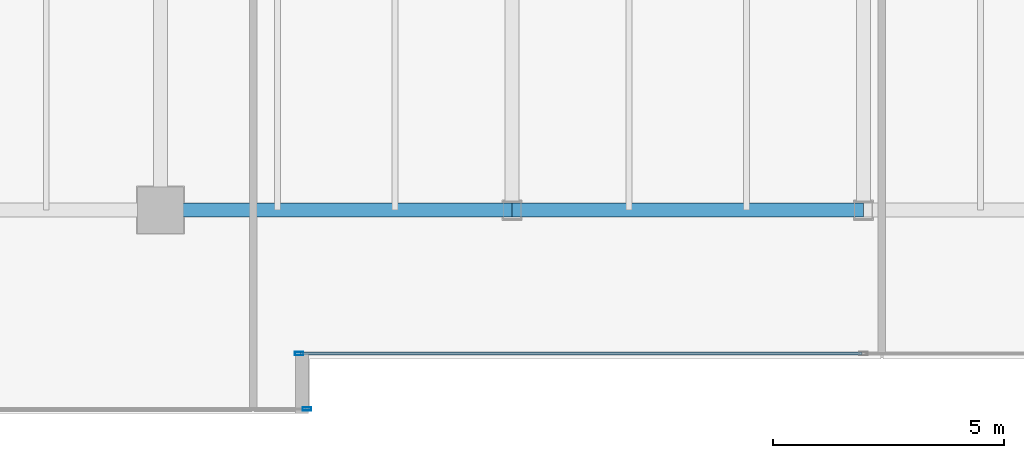
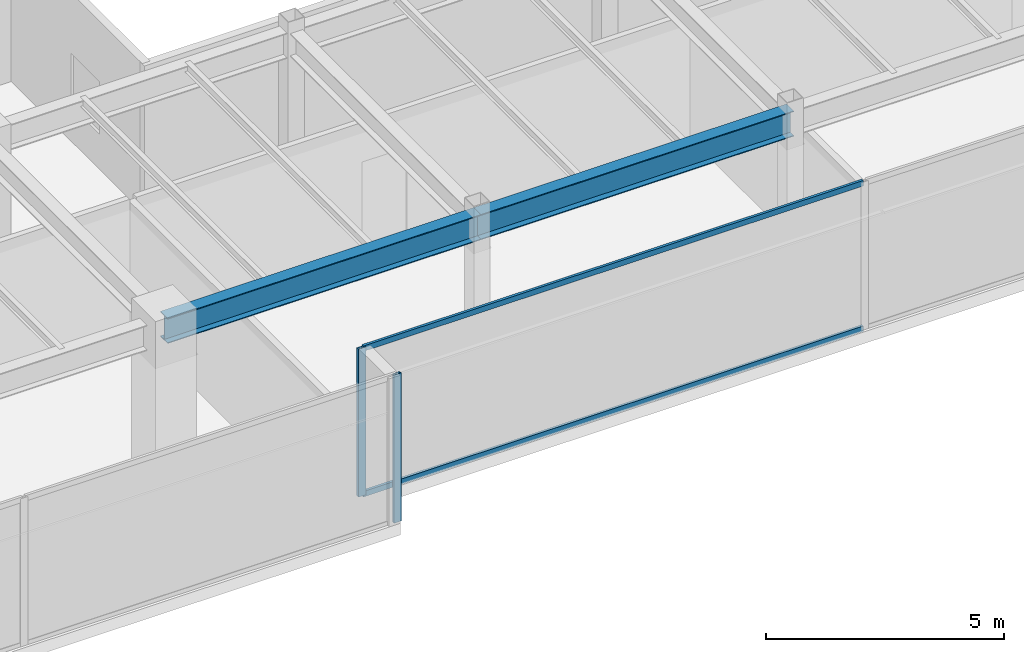
# One storey, part 7 of 36: 4 members, 2 beams, 2 elements without a shape of their own.
"""IFC4 building model written with IfcOpenShell, lengths in metres."""

from ifc_helpers import new_model, si_unit, direction, frame, origin, origin_2d, place, context, subcontext, project, spatial, hollow_rectangle, i_section, extrude, source, transform, mapped, material, layer, layer_set, material_profile, profile_set, type_object, type_shapes, element, aggregate, save


model = new_model("IFC4")

# Units and contexts
model_context = context("Model", 3, precision=1e-05, world=origin(), true_north=direction((0.0, 1.0)))
body_context = subcontext(model_context, "Body", "Model", "MODEL_VIEW")
ifc_project = project(units=[si_unit("LENGTHUNIT", "METRE"), si_unit("AREAUNIT", "SQUARE_METRE"), si_unit("VOLUMEUNIT", "CUBIC_METRE"), si_unit("PLANEANGLEUNIT", "RADIAN"), si_unit("MASSUNIT", "GRAM", prefix="KILO")], contexts=[model_context])

# Site, building, storey
site_placement = place(None, origin())
site = spatial("IfcSite", under=ifc_project, at=site_placement, CompositionType="ELEMENT")
building_placement = place(site_placement, origin())
building = spatial("IfcBuilding", under=site, at=building_placement, Name="Haelvirn Gate Laboratories", CompositionType="ELEMENT")
storey_placement = place(building_placement, frame((0.0, 0.0, 262.89990234375)))
storey = spatial("IfcBuildingStorey", under=building, at=storey_placement, Name="L63", CompositionType="ELEMENT", Elevation=262.89990234375)

# Beams
ifc_material_1 = material(Name="Steel SM355", Category="steel")
ifc_material_profile_1 = material_profile(ifc_material_1, i_section(OverallWidth=0.300048828125, OverallDepth=0.64990234375, WebThickness=0.012939453125, FlangeThickness=0.02197265625, at=origin_2d()), Name="H-650x300x13x22")
ifc_profile_set_1 = profile_set([ifc_material_profile_1], Name="Steel SM355")
beam_type = type_object("IfcBeamType", Name="BM-G-650", PredefinedType="BEAM", material=ifc_profile_set_1)
shared_shape_1 = source(origin(), body_context, "Body", "SweptSolid", [
    extrude(i_section(OverallWidth=0.300048828125, OverallDepth=0.64990234375, WebThickness=0.012939453125, FlangeThickness=0.02197265625, at=origin_2d()), origin(), (0.0, 0.0, 1.0), 7.60009765625),
])
beam_1_placement = place(storey_placement, frame((22.199951171875, 7.0, 3.47509765625), z_axis=(1.0, 0.0, 0.0), x_axis=(0.0, 1.0, 0.0)))
element("IfcBeam", 1, at=beam_1_placement, inside=storey, type_object=beam_type, Name="L63 Primary Girder Y7.0 (22.2-29.8)", PredefinedType="BEAM", context=body_context, shape_type="MappedRepresentation", body=[
    mapped(shared_shape_1, transform((0.0, 0.0, 0.0), scale=1.0)),
])
shared_shape_2 = source(origin(), body_context, "Body", "SweptSolid", [
    extrude(i_section(OverallWidth=0.300048828125, OverallDepth=0.64990234375, WebThickness=0.012939453125, FlangeThickness=0.02197265625, at=origin_2d()), origin(), (0.0, 0.0, 1.0), 7.599853515625),
])
type_shapes(beam_type, [shared_shape_1, shared_shape_2])
beam_2_placement = place(storey_placement, frame((29.800048828125, 7.0, 3.47509765625), z_axis=(1.0, 0.0, 0.0), x_axis=(0.0, 1.0, 0.0)))
element("IfcBeam", 2, at=beam_2_placement, inside=storey, type_object=beam_type, Name="L63 Primary Girder Y7.0 (29.8-37.4)", PredefinedType="BEAM", context=body_context, shape_type="MappedRepresentation", body=[
    mapped(shared_shape_2, transform((0.0, 0.0, 0.0), scale=1.0)),
])

# Curtain wall, members
ifc_material_2 = material(Name="Anodised bronze unitised aluminium & triple low-E glass", Category="aluminium")
ifc_layer = layer(ifc_material_2, 0.176025390625, Name="CW-SYS-4")
ifc_layer_set = layer_set([ifc_layer], Name="Anodised bronze unitised aluminium & triple low-E glass")
curtain_wall_type = type_object("IfcCurtainWallType", Name="CW-SYS-4", PredefinedType="NOTDEFINED", material=ifc_layer_set)
curtain_wall_1_placement = place(storey_placement, origin())
curtain_wall_1 = element("IfcCurtainWall", 3, at=curtain_wall_1_placement, inside=storey, type_object=curtain_wall_type, Name="L63 Unitised Curtain Wall CW-L63-P0-E02-1", PredefinedType="NOTDEFINED")
ifc_material_3 = material(Name="Extruded aluminium 6063-T6 (anodised bronze)", Category="aluminium")
ifc_material_profile_2 = material_profile(ifc_material_3, hollow_rectangle(XDim=0.06494140625, YDim=0.139892578125, WallThickness=0.00390625, at=origin_2d()), Name="CWT-140x65x4")
ifc_profile_set_2 = profile_set([ifc_material_profile_2], Name="Extruded aluminium 6063-T6 (anodised bronze)")
member_type_1 = type_object("IfcMemberType", Name="CWT-T140", PredefinedType="USERDEFINED", material=ifc_profile_set_2)
shared_shape_3 = source(origin(), body_context, "Body", "SweptSolid", [
    extrude(hollow_rectangle(XDim=0.06494140625, YDim=0.139892578125, WallThickness=0.00390625, at=origin_2d()), origin(), (0.0, 0.0, 1.0), 12.135009765625),
])
type_shapes(member_type_1, [shared_shape_3])
member_1_placement = place(storey_placement, frame((25.22998046875, 3.89990234375, 0.03271484375), z_axis=(1.0, 0.0, 0.0), x_axis=(0.0, 1.0, 0.0)))
member_1 = element("IfcMember", 4, at=member_1_placement, type_object=member_type_1, Name="CW4 transom 1.1", ObjectType="TRANSOM", PredefinedType="USERDEFINED", context=body_context, shape_type="MappedRepresentation", body=[
    mapped(shared_shape_3, transform((0.0, 0.0, 0.0), scale=1.0)),
])
member_2_placement = place(storey_placement, frame((25.22998046875, 3.89990234375, 3.767578125), z_axis=(1.0, 0.0, 0.0), x_axis=(0.0, 1.0, 0.0)))
member_2 = element("IfcMember", 5, at=member_2_placement, type_object=member_type_1, Name="CW4 transom 1.2", ObjectType="TRANSOM", PredefinedType="USERDEFINED", context=body_context, shape_type="MappedRepresentation", body=[
    mapped(shared_shape_3, transform((0.0, 0.0, 0.0), scale=1.0)),
])

# Curtain wall, member
curtain_wall_2_placement = place(storey_placement, origin())
curtain_wall_2 = element("IfcCurtainWall", 6, at=curtain_wall_2_placement, inside=storey, type_object=curtain_wall_type, Name="L63 Unitised Curtain Wall CW-L63-P0-E00-1", PredefinedType="NOTDEFINED")
ifc_material_profile_3 = material_profile(ifc_material_3, hollow_rectangle(XDim=0.070068359375, YDim=0.179931640625, WallThickness=0.0048828125, at=origin_2d()), Name="CWM-180x70x5")
ifc_profile_set_3 = profile_set([ifc_material_profile_3], Name="Extruded aluminium 6063-T6 (anodised bronze)")
member_type_2 = type_object("IfcMemberType", Name="CWM-T180", PredefinedType="MULLION", material=ifc_profile_set_3)
shared_shape_4 = source(origin(), body_context, "Body", "SweptSolid", [
    extrude(hollow_rectangle(XDim=0.070068359375, YDim=0.179931640625, WallThickness=0.0048828125, at=origin_2d()), origin(), (0.0, 0.0, 1.0), 3.800048828125),
])
type_shapes(member_type_2, [shared_shape_4])
member_3_placement = place(storey_placement, frame((25.364990234375, 2.699951171875, 0.0), z_axis=(0.0, 0.0, 1.0), x_axis=(0.0, 1.0, 0.0)))
member_3 = element("IfcMember", 7, at=member_3_placement, type_object=member_type_2, Name="CW4 mullion 3", PredefinedType="MULLION", context=body_context, shape_type="MappedRepresentation", body=[
    mapped(shared_shape_4, transform((0.0, 0.0, 0.0), scale=1.0)),
])
aggregate(curtain_wall_2, [member_3])

# Member
member_4_placement = place(storey_placement, frame((25.195068359375, 3.89990234375, 0.0), z_axis=(0.0, 0.0, 1.0), x_axis=(0.0, 1.0, 0.0)))
member_4 = element("IfcMember", 8, at=member_4_placement, type_object=member_type_2, Name="CW4 mullion 1", PredefinedType="MULLION", context=body_context, shape_type="MappedRepresentation", body=[
    mapped(shared_shape_4, transform((0.0, 0.0, 0.0), scale=1.0)),
])

aggregate(curtain_wall_1, [member_4, member_1, member_2])

save(model, "model.ifc")
